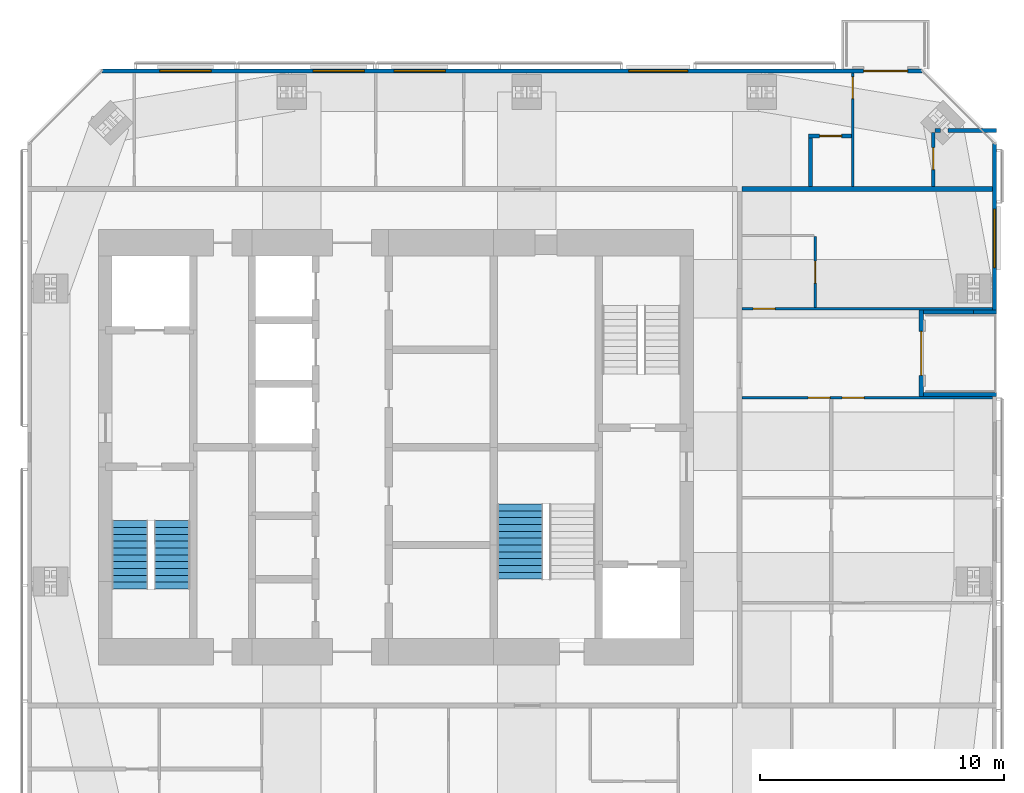
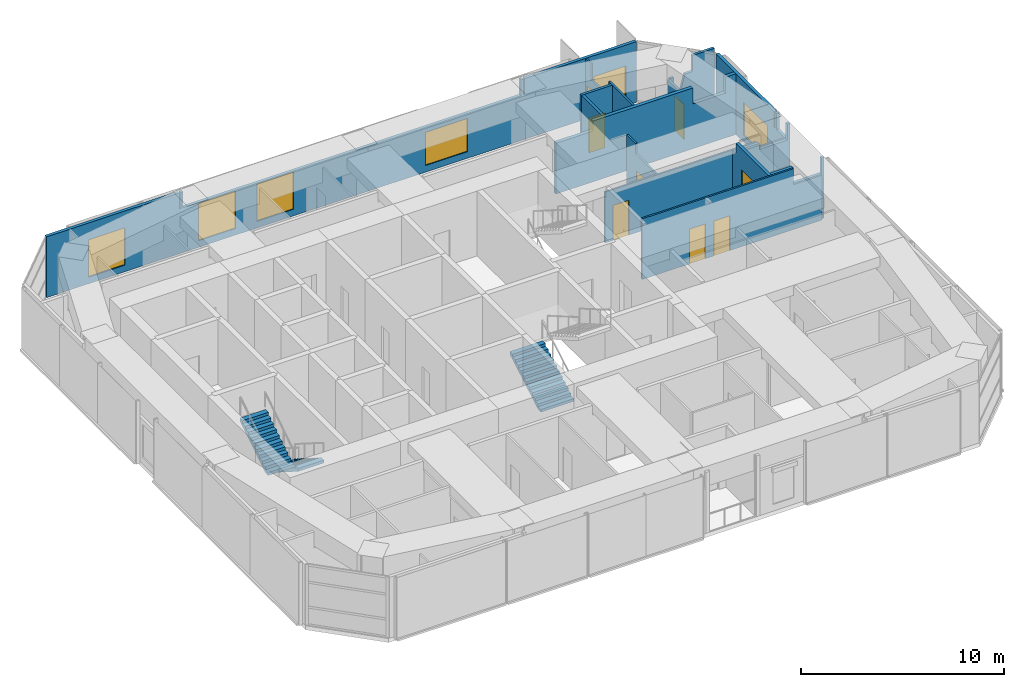
# One storey, part 18 of 20: 16 walls, 9 doors, 5 windows, 3 stair flights, 14 openings, 2 elements without a shape of their own.
"""IFC4 building model written with IfcOpenShell, lengths in metres."""

from ifc_helpers import new_model, si_unit, direction, frame, frame_2d, origin, place, context, subcontext, project, spatial, polyline, rectangle, outline, extrude, material, constituent, constituent_set, type_object, element, fill, aggregate, save


model = new_model("IFC4")

# Units and contexts
model_context = context("Model", 3, precision=1e-05, world=origin(), true_north=direction((0.0, 1.0)))
body_context = subcontext(model_context, "Body", "Model", "MODEL_VIEW")
ifc_project = project(units=[si_unit("LENGTHUNIT", "METRE"), si_unit("AREAUNIT", "SQUARE_METRE"), si_unit("VOLUMEUNIT", "CUBIC_METRE"), si_unit("PLANEANGLEUNIT", "RADIAN"), si_unit("MASSUNIT", "GRAM", prefix="KILO")], contexts=[model_context])

# Site, building, storey
site_placement = place(None, origin())
site = spatial("IfcSite", under=ifc_project, at=site_placement, CompositionType="ELEMENT")
building_placement = place(site_placement, origin())
building = spatial("IfcBuilding", under=site, at=building_placement, Name="Jalousie Tower", CompositionType="ELEMENT")
storey_placement = place(building_placement, frame((0.0, 0.0, 259.949951171875)))
storey = spatial("IfcBuildingStorey", under=building, at=storey_placement, Name="L71", CompositionType="ELEMENT", Elevation=259.949951171875)

# Walls
ifc_material_1 = material(Name="Concrete block ASTM C90", Category="concrete")
ifc_constituent_1 = constituent(ifc_material_1, Name="Body")
ifc_material_2 = material(Name="Render")
ifc_constituent_2 = constituent(ifc_material_2, Name="Finish")
ifc_constituent_set_1 = constituent_set(constituents=[ifc_constituent_1, ifc_constituent_2])
wall_type_1 = type_object("IfcWallType", Name="BATHROOM WALL 150", PredefinedType="PLUMBINGWALL", material=ifc_constituent_set_1)
wall_1_placement = place(storey_placement, frame((53.97509765625, 31.47509765625, 0.0), z_axis=(0.0, 0.0, 1.0), x_axis=(1.0, 0.0, 0.0)))
element("IfcWall", 1, at=wall_1_placement, inside=storey, type_object=wall_type_1, Name="Bathroom Wall 150 L71-A", PredefinedType="PLUMBINGWALL", context=body_context, shape_type="SweptSolid", body=[
    extrude(rectangle(XDim=0.216796875, YDim=0.14990234375, at=frame_2d((0.1083984375, 0.0))), origin(), (0.0, 0.0, 1.0), 2.699951171875),
])
wall_2_placement = place(storey_placement, frame((54.476318359375, 31.47509765625, 0.0), z_axis=(0.0, 0.0, 1.0), x_axis=(1.0, 0.0, 0.0)))
element("IfcWall", 2, at=wall_2_placement, inside=storey, type_object=wall_type_1, Name="Bathroom Wall 150 L71-B", PredefinedType="PLUMBINGWALL", context=body_context, shape_type="SweptSolid", body=[
    extrude(outline(polyline([(0.775390625, 3.66015625), (0.775390625, 2.699951171875), (0.3427734375, 2.699951171875), (0.0, 1.35009765625), (0.3427734375, 0.0), (2.023681640625, 0.0), (2.023681640625, 3.66015625), (0.775390625, 3.66015625)])), frame((0.0, 0.074951171875, 0.0), z_axis=(0.0, -1.0, 0.0), x_axis=(1.0, 0.0, 0.0)), (0.0, 0.0, 1.0), 0.14990234375),
])

# Wall, opening, door
wall_3_placement = place(storey_placement, frame((53.89990234375, 31.39990234375, 0.0), z_axis=(0.0, 0.0, 1.0), x_axis=(0.0, -1.0, 0.0)))
wall_3 = element("IfcWall", 3, at=wall_3_placement, inside=storey, type_object=wall_type_1, Name="Bathroom Wall 150 L71", PredefinedType="PLUMBINGWALL", context=body_context, shape_type="SweptSolid", body=[
    extrude(outline(polyline([(0.0, 0.0), (2.224853515625, 0.0), (2.22509765625, 3.66015625), (2.22509765625, 2.699951171875), (0.43798828125, 2.699951171875), (0.0, 2.699951171875), (0.0, 3.66015625), (0.0, 0.0)])), frame((0.0, 0.074951171875, 0.0), z_axis=(0.0, -1.0, 0.0), x_axis=(1.0, 0.0, 0.0)), (0.0, 0.0, 1.0), 0.14990234375),
])
opening_1_placement = place(wall_3_placement, frame((0.625, 0.0, 0.0)))
opening_1 = element("IfcOpeningElement", 4, at=opening_1_placement, cuts=wall_3, Name="Opening D3", PredefinedType="OPENING", context=body_context, shape_type="SweptSolid", body=[
    extrude(rectangle(XDim=0.89990234375, YDim=2.10009765625, at=frame_2d((0.449951171875, 1.050048828125))), frame((0.0, 0.0849609375, 0.0), z_axis=(0.0, -1.0, 0.0), x_axis=(1.0, 0.0, 0.0)), (0.0, 0.0, 1.0), 0.169921875),
])
ifc_material_3 = material(Name="Timber door", Category="wood")
door_type_1 = type_object("IfcDoorType", Name="BATHROOM DOOR 900", OperationType="SINGLE_SWING_LEFT", PredefinedType="DOOR", material=ifc_material_3)
door_1_placement = place(opening_1_placement, origin())
door_1 = element("IfcDoor", 5, at=door_1_placement, inside=storey, type_object=door_type_1, Name="Apartment 7102 bathroom door", OperationType="SINGLE_SWING_LEFT", OverallHeight=2.10009765625, OverallWidth=0.89990234375, PredefinedType="DOOR", context=body_context, shape_type="SweptSolid", body=[
    extrude(rectangle(XDim=0.89990234375, YDim=2.10009765625, at=frame_2d((0.449951171875, 1.050048828125))), frame((0.0, 0.02490234375, 0.0), z_axis=(0.0, -1.0, 0.0), x_axis=(1.0, 0.0, 0.0)), (0.0, 0.0, 1.0), 0.050048828125),
])
fill(opening_1, door_1)

wall_4_placement = place(storey_placement, frame((50.552490234375, 31.25, 0.0), z_axis=(0.0, 0.0, 1.0), x_axis=(-1.0, 0.0, 0.0)))
wall_4 = element("IfcWall", 6, at=wall_4_placement, inside=storey, type_object=wall_type_1, Name="Bathroom Wall 150 L71", PredefinedType="PLUMBINGWALL", context=body_context, shape_type="SweptSolid", body=[
    extrude(rectangle(XDim=1.75, YDim=0.14990234375, at=frame_2d((0.875, 0.0))), origin(), (0.0, 0.0, 1.0), 3.66015625),
])
opening_2_placement = place(wall_4_placement, frame((0.39990234375, 0.0, 0.0)))
opening_2 = element("IfcOpeningElement", 7, at=opening_2_placement, cuts=wall_4, Name="Opening D7", PredefinedType="OPENING", context=body_context, shape_type="SweptSolid", body=[
    extrude(rectangle(XDim=0.89990234375, YDim=2.10009765625, at=frame_2d((0.449951171875, 1.050048828125))), frame((0.0, 0.0849609375, 0.0), z_axis=(0.0, -1.0, 0.0), x_axis=(1.0, 0.0, 0.0)), (0.0, 0.0, 1.0), 0.169921875),
])
ifc_material_4 = material(Name="Timber door", Category="wood")
door_type_2 = type_object("IfcDoorType", Name="INTERNAL DOOR 900", OperationType="SINGLE_SWING_LEFT", PredefinedType="DOOR", material=ifc_material_4)
door_2_placement = place(opening_2_placement, origin())
door_2 = element("IfcDoor", 8, at=door_2_placement, inside=storey, type_object=door_type_2, Name="Apartment 7102 guest WC door", OperationType="SINGLE_SWING_RIGHT", OverallHeight=2.10009765625, OverallWidth=0.89990234375, PredefinedType="DOOR", context=body_context, shape_type="SweptSolid", body=[
    extrude(rectangle(XDim=0.89990234375, YDim=2.10009765625, at=frame_2d((0.449951171875, 1.050048828125))), frame((0.0, 0.02490234375, 0.0), z_axis=(0.0, -1.0, 0.0), x_axis=(1.0, 0.0, 0.0)), (0.0, 0.0, 1.0), 0.050048828125),
])
fill(opening_2, door_2)

# Wall
wall_5_placement = place(storey_placement, frame((48.87744140625, 29.175048828125, 0.0), z_axis=(0.0, 0.0, 1.0), x_axis=(0.0, 1.0, 0.0)))
element("IfcWall", 9, at=wall_5_placement, inside=storey, type_object=wall_type_1, Name="Bathroom Wall 150 L71", PredefinedType="PLUMBINGWALL", context=body_context, shape_type="SweptSolid", body=[
    extrude(rectangle(XDim=2.0, YDim=0.14990234375, at=frame_2d((1.0, 0.0))), origin(), (0.0, 0.0, 1.0), 3.66015625),
])

# Wall, opening, window
ifc_material_5 = material(Name="Concrete f'c 40 MPa", Category="concrete")
ifc_constituent_3 = constituent(ifc_material_5, Name="Body")
ifc_material_6 = material(Name="Render, pastel sky blue")
ifc_constituent_4 = constituent(ifc_material_6, Name="Finish")
ifc_constituent_set_2 = constituent_set(constituents=[ifc_constituent_3, ifc_constituent_4])
wall_type_2 = type_object("IfcWallType", Name="EXTERNAL WALL 175 SKY BLUE RENDER", PredefinedType="SOLIDWALL", material=ifc_constituent_set_2)
wall_6_placement = place(storey_placement, frame((56.41259765625, 24.125, 0.0), z_axis=(0.0, 0.0, 1.0), x_axis=(0.0, 1.0, 0.0)))
wall_6 = element("IfcWall", 10, at=wall_6_placement, inside=storey, type_object=wall_type_2, Name="External Wall 175 Sky Blue Render L71", PredefinedType="SOLIDWALL", context=body_context, shape_type="SweptSolid", body=[
    extrude(outline(polyline([(0.0, 0.0), (6.82373046875, 0.0), (6.82373046875, 3.66015625), (1.08349609375, 3.66015625), (1.08349609375, 2.699951171875), (1.018310546875, 2.699951171875), (1.018310546875, 3.66015625), (0.875, 3.66015625), (0.875, 2.699951171875), (0.0, 2.699951171875), (0.0, 0.0)])), frame((0.0, 0.08740234375, 0.0), z_axis=(0.0, -1.0, 0.0), x_axis=(1.0, 0.0, 0.0)), (0.0, 0.0, 1.0), 0.175048828125),
])
opening_3_placement = place(wall_6_placement, frame((1.728759765625, 0.0, 0.39990234375)))
opening_3 = element("IfcOpeningElement", 11, at=opening_3_placement, cuts=wall_6, Name="Opening W-LIV", PredefinedType="OPENING", context=body_context, shape_type="SweptSolid", body=[
    extrude(rectangle(XDim=2.39990234375, YDim=2.0, at=frame_2d((1.199951171875, 1.0))), frame((0.0, 0.097412109375, 0.0), z_axis=(0.0, -1.0, 0.0), x_axis=(1.0, 0.0, 0.0)), (0.0, 0.0, 1.0), 0.195068359375),
])
ifc_material_7 = material(Name="Aluminium frame, impact-rated glazing", Category="aluminium")
window_type_1 = type_object("IfcWindowType", Name="WINDOW LIV 2400x2000", PartitioningType="DOUBLE_PANEL_VERTICAL", PredefinedType="WINDOW", material=ifc_material_7)
window_1_placement = place(opening_3_placement, origin())
window_1 = element("IfcWindow", 12, at=window_1_placement, inside=storey, type_object=window_type_1, Name="Apartment 7103 living and dining room window", OverallHeight=2.0, OverallWidth=2.39990234375, PartitioningType="SINGLE_PANEL", PredefinedType="WINDOW", context=body_context, shape_type="SweptSolid", body=[
    extrude(rectangle(XDim=2.39990234375, YDim=2.0, at=frame_2d((1.199951171875, 1.0))), frame((0.0, 0.030029296875, 0.0), z_axis=(0.0, -1.0, 0.0), x_axis=(1.0, 0.0, 0.0)), (0.0, 0.0, 1.0), 0.06005859375),
])
fill(opening_3, window_1)

# Wall, opening, door
wall_7_placement = place(storey_placement, frame((53.41259765625, 20.574951171875, 0.0), z_axis=(0.0, 0.0, 1.0), x_axis=(0.0, 1.0, 0.0)))
wall_7 = element("IfcWall", 13, at=wall_7_placement, inside=storey, type_object=wall_type_2, Name="External Wall 175 Sky Blue Render L71", PredefinedType="SOLIDWALL", context=body_context, shape_type="SweptSolid", body=[
    extrude(outline(polyline([(0.0, 0.0), (3.550048828125, 0.0), (3.550048828125, 3.06005859375), (3.22509765625, 3.06005859375), (3.22509765625, 3.66015625), (0.0, 3.66015625), (0.0, 0.0)])), frame((0.0, 0.08740234375, 0.0), z_axis=(0.0, -1.0, 0.0), x_axis=(1.0, 0.0, 0.0)), (0.0, 0.0, 1.0), 0.175048828125),
])
opening_4_placement = place(wall_7_placement, frame((0.875, 0.0, 0.0)))
opening_4 = element("IfcOpeningElement", 14, at=opening_4_placement, cuts=wall_7, Name="Opening D-BAL", PredefinedType="OPENING", context=body_context, shape_type="SweptSolid", body=[
    extrude(rectangle(XDim=1.800048828125, YDim=2.39990234375, at=frame_2d((0.89990234375, 1.199951171875))), frame((0.0, 0.097412109375, 0.0), z_axis=(0.0, -1.0, 0.0), x_axis=(1.0, 0.0, 0.0)), (0.0, 0.0, 1.0), 0.195068359375),
])
ifc_material_8 = material(Name="Aluminium frame, impact-rated glazing", Category="aluminium")
door_type_3 = type_object("IfcDoorType", Name="BALCONY DOOR 1800x2400", OperationType="SLIDING_TO_LEFT", PredefinedType="DOOR", material=ifc_material_8)
door_3_placement = place(opening_4_placement, origin())
door_3 = element("IfcDoor", 15, at=door_3_placement, inside=storey, type_object=door_type_3, Name="Apartment 7103 study loggia door", OperationType="SLIDING_TO_LEFT", OverallHeight=2.39990234375, OverallWidth=1.800048828125, PredefinedType="DOOR", context=body_context, shape_type="SweptSolid", body=[
    extrude(rectangle(XDim=1.800048828125, YDim=2.39990234375, at=frame_2d((0.89990234375, 1.199951171875))), frame((0.0, 0.02490234375, 0.0), z_axis=(0.0, -1.0, 0.0), x_axis=(1.0, 0.0, 0.0)), (0.0, 0.0, 1.0), 0.050048828125),
])
fill(opening_4, door_3)

# Walls
wall_8_placement = place(storey_placement, frame((56.5, 20.66259765625, 0.0), z_axis=(0.0, 0.0, 1.0), x_axis=(-1.0, 0.0, 0.0)))
element("IfcWall", 16, at=wall_8_placement, inside=storey, type_object=wall_type_2, Name="External Wall 175 Sky Blue Render L71", PredefinedType="SOLIDWALL", context=body_context, shape_type="SweptSolid", body=[
    extrude(outline(polyline([(0.0, 0.0), (3.0, 0.0), (3.0, 3.66015625), (1.75, 3.66015625), (1.75, 2.699951171875), (0.14990234375, 2.699951171875), (0.14990234375, 3.66015625), (0.0, 3.66015625), (0.0, 0.0)])), frame((0.0, 0.08740234375, 0.0), z_axis=(0.0, -1.0, 0.0), x_axis=(1.0, 0.0, 0.0)), (0.0, 0.0, 1.0), 0.175048828125),
])
wall_9_placement = place(storey_placement, frame((56.5, 24.03759765625, 0.0), z_axis=(0.0, 0.0, 1.0), x_axis=(-1.0, 0.0, 0.0)))
element("IfcWall", 17, at=wall_9_placement, inside=storey, type_object=wall_type_2, Name="External Wall 175 Sky Blue Render L71-A", PredefinedType="SOLIDWALL", context=body_context, shape_type="SweptSolid", body=[
    extrude(outline(polyline([(0.0, 0.0), (0.949951171875, 0.0), (0.949951171875, 2.699951171875), (0.14990234375, 2.699951171875), (0.14990234375, 3.66015625), (0.0, 3.66015625), (0.0, 0.0)])), frame((0.0, 0.08740234375, 0.0), z_axis=(0.0, -1.0, 0.0), x_axis=(1.0, 0.0, 0.0)), (0.0, 0.0, 1.0), 0.175048828125),
])
wall_10_placement = place(storey_placement, frame((55.550048828125, 24.03759765625, 0.0), z_axis=(0.0, 0.0, 1.0), x_axis=(-1.0, 0.0, 0.0)))
element("IfcWall", 18, at=wall_10_placement, inside=storey, type_object=wall_type_2, Name="External Wall 175 Sky Blue Render L71-B", PredefinedType="SOLIDWALL", context=body_context, shape_type="SweptSolid", body=[
    extrude(outline(polyline([(0.0, 0.0), (2.050048828125, 0.0), (2.050048828125, 3.06005859375), (0.800048828125, 3.06005859375), (0.800048828125, 2.699951171875), (0.0, 2.699951171875), (0.0, 0.0)])), frame((0.0, 0.08740234375, 0.0), z_axis=(0.0, -1.0, 0.0), x_axis=(1.0, 0.0, 0.0)), (0.0, 0.0, 1.0), 0.175048828125),
])

# Wall, openings, door, windows
wall_11_placement = place(storey_placement, frame((53.44873046875, 33.91259765625, 0.0), z_axis=(0.0, 0.0, 1.0), x_axis=(-1.0, 0.0, 0.0)))
wall_11 = element("IfcWall", 19, at=wall_11_placement, inside=storey, type_object=wall_type_2, Name="External Wall 175 Sky Blue Render L71", PredefinedType="SOLIDWALL", context=body_context, shape_type="SweptSolid", body=[
    extrude(outline(polyline([(0.0, 0.0), (33.597412109375, 0.0), (33.597412109375, 3.66015625), (26.03857421875, 3.66015625), (26.03857421875, 2.699951171875), (25.955078125, 2.699951171875), (25.955078125, 3.66015625), (25.82373046875, 3.66015625), (25.82373046875, 2.699951171875), (6.57373046875, 2.699951171875), (6.57373046875, 3.66015625), (6.4423828125, 3.66015625), (6.4423828125, 2.699951171875), (6.35888671875, 2.699951171875), (6.35888671875, 3.66015625), (0.0, 3.66015625), (0.0, 0.0)])), frame((0.0, 0.08740234375, 0.0), z_axis=(0.0, -1.0, 0.0), x_axis=(1.0, 0.0, 0.0)), (0.0, 0.0, 1.0), 0.175048828125),
])
opening_5_placement = place(wall_11_placement, frame((0.60009765625, 0.0, 0.0)))
opening_5 = element("IfcOpeningElement", 20, at=opening_5_placement, cuts=wall_11, Name="Opening D-BAL", PredefinedType="OPENING", context=body_context, shape_type="SweptSolid", body=[
    extrude(rectangle(XDim=1.800048828125, YDim=2.39990234375, at=frame_2d((0.89990234375, 1.199951171875))), frame((0.0, 0.097412109375, 0.0), z_axis=(0.0, -1.0, 0.0), x_axis=(1.0, 0.0, 0.0)), (0.0, 0.0, 1.0), 0.195068359375),
])
opening_6_placement = place(wall_11_placement, frame((9.610107421875, 0.0, 0.39990234375)))
opening_6 = element("IfcOpeningElement", 21, at=opening_6_placement, cuts=wall_11, Name="Opening W-LIV", PredefinedType="OPENING", context=body_context, shape_type="SweptSolid", body=[
    extrude(rectangle(XDim=2.39990234375, YDim=2.0, at=frame_2d((1.199951171875, 1.0))), frame((0.0, 0.097412109375, 0.0), z_axis=(0.0, -1.0, 0.0), x_axis=(1.0, 0.0, 0.0)), (0.0, 0.0, 1.0), 0.195068359375),
])
opening_7_placement = place(wall_11_placement, frame((19.523681640625, 0.0, 0.39990234375)))
opening_7 = element("IfcOpeningElement", 22, at=opening_7_placement, cuts=wall_11, Name="Opening W-BEDPH225", PredefinedType="OPENING", context=body_context, shape_type="SweptSolid", body=[
    extrude(rectangle(XDim=2.10009765625, YDim=2.25, at=frame_2d((1.050048828125, 1.125))), frame((0.0, 0.097412109375, 0.0), z_axis=(0.0, -1.0, 0.0), x_axis=(1.0, 0.0, 0.0)), (0.0, 0.0, 1.0), 0.195068359375),
])
opening_8_placement = place(wall_11_placement, frame((22.84375, 0.0, 0.39990234375)))
opening_8 = element("IfcOpeningElement", 23, at=opening_8_placement, cuts=wall_11, Name="Opening W-BEDPH225", PredefinedType="OPENING", context=body_context, shape_type="SweptSolid", body=[
    extrude(rectangle(XDim=2.10009765625, YDim=2.25, at=frame_2d((1.050048828125, 1.125))), frame((0.0, 0.097412109375, 0.0), z_axis=(0.0, -1.0, 0.0), x_axis=(1.0, 0.0, 0.0)), (0.0, 0.0, 1.0), 0.195068359375),
])
opening_9_placement = place(wall_11_placement, frame((29.123046875, 0.0, 0.39990234375)))
opening_9 = element("IfcOpeningElement", 24, at=opening_9_placement, cuts=wall_11, Name="Opening W-BEDPH225", PredefinedType="OPENING", context=body_context, shape_type="SweptSolid", body=[
    extrude(rectangle(XDim=2.10009765625, YDim=2.25, at=frame_2d((1.050048828125, 1.125))), frame((0.0, 0.097412109375, 0.0), z_axis=(0.0, -1.0, 0.0), x_axis=(1.0, 0.0, 0.0)), (0.0, 0.0, 1.0), 0.195068359375),
])
door_4_placement = place(opening_5_placement, origin())
door_4 = element("IfcDoor", 25, at=door_4_placement, inside=storey, type_object=door_type_3, Name="Apartment 7102 bedroom 5 balcony door", OperationType="SLIDING_TO_LEFT", OverallHeight=2.39990234375, OverallWidth=1.800048828125, PredefinedType="DOOR", context=body_context, shape_type="SweptSolid", body=[
    extrude(rectangle(XDim=1.800048828125, YDim=2.39990234375, at=frame_2d((0.89990234375, 1.199951171875))), frame((0.0, 0.02490234375, 0.0), z_axis=(0.0, -1.0, 0.0), x_axis=(1.0, 0.0, 0.0)), (0.0, 0.0, 1.0), 0.050048828125),
])
fill(opening_5, door_4)
ifc_material_9 = material(Name="Aluminium frame, impact-rated glazing", Category="aluminium")
window_type_2 = type_object("IfcWindowType", Name="WINDOW BEDPH 2100x2250", PartitioningType="DOUBLE_PANEL_VERTICAL", PredefinedType="WINDOW", material=ifc_material_9)
window_2_placement = place(opening_7_placement, origin())
window_2 = element("IfcWindow", 26, at=window_2_placement, inside=storey, type_object=window_type_2, Name="Apartment 7102 bedroom 4 window", OverallHeight=2.25, OverallWidth=2.10009765625, PartitioningType="SINGLE_PANEL", PredefinedType="WINDOW", context=body_context, shape_type="SweptSolid", body=[
    extrude(rectangle(XDim=2.10009765625, YDim=2.25, at=frame_2d((1.050048828125, 1.125))), frame((0.0, 0.030029296875, 0.0), z_axis=(0.0, -1.0, 0.0), x_axis=(1.0, 0.0, 0.0)), (0.0, 0.0, 1.0), 0.06005859375),
])
fill(opening_7, window_2)
window_3_placement = place(opening_8_placement, origin())
window_3 = element("IfcWindow", 27, at=window_3_placement, inside=storey, type_object=window_type_2, Name="Apartment 7102 bedroom 3 window", OverallHeight=2.25, OverallWidth=2.10009765625, PartitioningType="SINGLE_PANEL", PredefinedType="WINDOW", context=body_context, shape_type="SweptSolid", body=[
    extrude(rectangle(XDim=2.10009765625, YDim=2.25, at=frame_2d((1.050048828125, 1.125))), frame((0.0, 0.030029296875, 0.0), z_axis=(0.0, -1.0, 0.0), x_axis=(1.0, 0.0, 0.0)), (0.0, 0.0, 1.0), 0.06005859375),
])
fill(opening_8, window_3)
window_4_placement = place(opening_9_placement, origin())
window_4 = element("IfcWindow", 28, at=window_4_placement, inside=storey, type_object=window_type_2, Name="Apartment 7102 bedroom 2 window", OverallHeight=2.25, OverallWidth=2.10009765625, PartitioningType="SINGLE_PANEL", PredefinedType="WINDOW", context=body_context, shape_type="SweptSolid", body=[
    extrude(rectangle(XDim=2.10009765625, YDim=2.25, at=frame_2d((1.050048828125, 1.125))), frame((0.0, 0.030029296875, 0.0), z_axis=(0.0, -1.0, 0.0), x_axis=(1.0, 0.0, 0.0)), (0.0, 0.0, 1.0), 0.06005859375),
])
fill(opening_9, window_4)
window_5_placement = place(opening_6_placement, origin())
window_5 = element("IfcWindow", 29, at=window_5_placement, inside=storey, type_object=window_type_1, Name="Apartment 7102 living, dining and kitchen window", OverallHeight=2.0, OverallWidth=2.39990234375, PartitioningType="SINGLE_PANEL", PredefinedType="WINDOW", context=body_context, shape_type="SweptSolid", body=[
    extrude(rectangle(XDim=2.39990234375, YDim=2.0, at=frame_2d((1.199951171875, 1.0))), frame((0.0, 0.030029296875, 0.0), z_axis=(0.0, -1.0, 0.0), x_axis=(1.0, 0.0, 0.0)), (0.0, 0.0, 1.0), 0.06005859375),
])
fill(opening_6, window_5)

# Wall, opening, door
ifc_material_10 = material(Name="Gypsum board", Category="gypsum")
ifc_constituent_5 = constituent(ifc_material_10, Name="Body")
ifc_material_11 = material(Name="Light-gauge steel studs ASTM A653 SS Grade 33", Category="steel")
ifc_constituent_6 = constituent(ifc_material_11, Name="Framing")
ifc_constituent_set_3 = constituent_set(constituents=[ifc_constituent_5, ifc_constituent_6])
wall_type_3 = type_object("IfcWallType", Name="PARTITION 100", PredefinedType="PARTITIONING", material=ifc_constituent_set_3)
wall_12_placement = place(storey_placement, frame((50.6025390625, 33.824951171875, 0.0), z_axis=(0.0, 0.0, 1.0), x_axis=(0.0, -1.0, 0.0)))
wall_12 = element("IfcWall", 30, at=wall_12_placement, inside=storey, type_object=wall_type_3, Name="Partition 100 L71", PredefinedType="PARTITIONING", context=body_context, shape_type="SweptSolid", body=[
    extrude(outline(polyline([(0.0, 0.0), (4.64990234375, 0.0), (4.64990234375, 3.66015625), (2.279052734375, 3.66015625), (2.279052734375, 2.699951171875), (0.534423828125, 2.699951171875), (0.534423828125, 3.66015625), (0.0, 3.66015625), (0.0, 0.0)])), frame((0.0, 0.050048828125, 0.0), z_axis=(0.0, -1.0, 0.0), x_axis=(1.0, 0.0, 0.0)), (0.0, 0.0, 1.0), 0.10009765625),
])
opening_10_placement = place(wall_12_placement, frame((0.14990234375, 0.0, 0.0)))
opening_10 = element("IfcOpeningElement", 31, at=opening_10_placement, cuts=wall_12, Name="Opening D2", PredefinedType="OPENING", context=body_context, shape_type="SweptSolid", body=[
    extrude(rectangle(XDim=0.89990234375, YDim=2.10009765625, at=frame_2d((0.449951171875, 1.050048828125))), frame((0.0, 0.06005859375, 0.0), z_axis=(0.0, -1.0, 0.0), x_axis=(1.0, 0.0, 0.0)), (0.0, 0.0, 1.0), 0.1201171875),
])
ifc_material_12 = material(Name="Timber door", Category="wood")
door_type_4 = type_object("IfcDoorType", Name="BEDROOM DOOR 900", OperationType="SINGLE_SWING_LEFT", PredefinedType="DOOR", material=ifc_material_12)
door_5_placement = place(opening_10_placement, origin())
door_5 = element("IfcDoor", 32, at=door_5_placement, inside=storey, type_object=door_type_4, Name="Apartment 7102 bedroom 5 door", OperationType="SINGLE_SWING_LEFT", OverallHeight=2.10009765625, OverallWidth=0.89990234375, PredefinedType="DOOR", context=body_context, shape_type="SweptSolid", body=[
    extrude(rectangle(XDim=0.89990234375, YDim=2.10009765625, at=frame_2d((0.449951171875, 1.050048828125))), frame((0.0, 0.02490234375, 0.0), z_axis=(0.0, -1.0, 0.0), x_axis=(1.0, 0.0, 0.0)), (0.0, 0.0, 1.0), 0.050048828125),
])
fill(opening_10, door_5)

# Wall, openings, doors
wall_13_placement = place(storey_placement, frame((56.324951171875, 20.52490234375, 0.0), z_axis=(0.0, 0.0, 1.0), x_axis=(-1.0, 0.0, 0.0)))
wall_13 = element("IfcWall", 33, at=wall_13_placement, inside=storey, type_object=wall_type_3, Name="Partition 100 L71", PredefinedType="PARTITIONING", context=body_context, shape_type="SweptSolid", body=[
    extrude(outline(polyline([(0.0, 0.0), (10.25, 0.0), (10.25, 3.66015625), (1.635009765625, 3.66015625), (1.635009765625, 2.699951171875), (0.0, 2.699951171875), (0.0, 3.66015625), (0.0, 0.0)])), frame((0.0, 0.050048828125, 0.0), z_axis=(0.0, -1.0, 0.0), x_axis=(1.0, 0.0, 0.0)), (0.0, 0.0, 1.0), 0.10009765625),
])
opening_11_placement = place(wall_13_placement, frame((5.25, 0.0, 0.0)))
opening_11 = element("IfcOpeningElement", 34, at=opening_11_placement, cuts=wall_13, Name="Opening D2", PredefinedType="OPENING", context=body_context, shape_type="SweptSolid", body=[
    extrude(rectangle(XDim=0.89990234375, YDim=2.10009765625, at=frame_2d((0.449951171875, 1.050048828125))), frame((0.0, 0.06005859375, 0.0), z_axis=(0.0, -1.0, 0.0), x_axis=(1.0, 0.0, 0.0)), (0.0, 0.0, 1.0), 0.1201171875),
])
opening_12_placement = place(wall_13_placement, frame((6.64990234375, 0.0, 0.0)))
opening_12 = element("IfcOpeningElement", 35, at=opening_12_placement, cuts=wall_13, Name="Opening D7", PredefinedType="OPENING", context=body_context, shape_type="SweptSolid", body=[
    extrude(rectangle(XDim=0.89990234375, YDim=2.10009765625, at=frame_2d((0.449951171875, 1.050048828125))), frame((0.0, 0.06005859375, 0.0), z_axis=(0.0, -1.0, 0.0), x_axis=(1.0, 0.0, 0.0)), (0.0, 0.0, 1.0), 0.1201171875),
])
door_6_placement = place(opening_11_placement, origin())
door_6 = element("IfcDoor", 36, at=door_6_placement, inside=storey, type_object=door_type_4, Name="Apartment 7103 bedroom 3 door", OperationType="SINGLE_SWING_RIGHT", OverallHeight=2.10009765625, OverallWidth=0.89990234375, PredefinedType="DOOR", context=body_context, shape_type="SweptSolid", body=[
    extrude(rectangle(XDim=0.89990234375, YDim=2.10009765625, at=frame_2d((0.449951171875, 1.050048828125))), frame((0.0, 0.02490234375, 0.0), z_axis=(0.0, -1.0, 0.0), x_axis=(1.0, 0.0, 0.0)), (0.0, 0.0, 1.0), 0.050048828125),
])
fill(opening_11, door_6)
door_7_placement = place(opening_12_placement, origin())
door_7 = element("IfcDoor", 37, at=door_7_placement, inside=storey, type_object=door_type_2, Name="Apartment 7103 bathroom door", OperationType="SINGLE_SWING_LEFT", OverallHeight=2.10009765625, OverallWidth=0.89990234375, PredefinedType="DOOR", context=body_context, shape_type="SweptSolid", body=[
    extrude(rectangle(XDim=0.89990234375, YDim=2.10009765625, at=frame_2d((0.449951171875, 1.050048828125))), frame((0.0, 0.02490234375, 0.0), z_axis=(0.0, -1.0, 0.0), x_axis=(1.0, 0.0, 0.0)), (0.0, 0.0, 1.0), 0.050048828125),
])
fill(opening_12, door_7)

# Wall, opening, door
wall_14_placement = place(storey_placement, frame((56.324951171875, 24.175048828125, 0.0), z_axis=(0.0, 0.0, 1.0), x_axis=(-1.0, 0.0, 0.0)))
wall_14 = element("IfcWall", 38, at=wall_14_placement, inside=storey, type_object=wall_type_3, Name="Partition 100 L71", PredefinedType="PARTITIONING", context=body_context, shape_type="SweptSolid", body=[
    extrude(outline(polyline([(0.0, 0.0), (10.25, 0.0), (10.25, 3.66015625), (10.25, 3.06005859375), (1.635009765625, 3.06005859375), (1.635009765625, 2.699951171875), (0.0, 2.699951171875), (0.0, 3.66015625), (0.0, 0.0)])), frame((0.0, 0.050048828125, 0.0), z_axis=(0.0, -1.0, 0.0), x_axis=(1.0, 0.0, 0.0)), (0.0, 0.0, 1.0), 0.10009765625),
])
opening_13_placement = place(wall_14_placement, frame((8.89990234375, 0.0, 0.0)))
opening_13 = element("IfcOpeningElement", 39, at=opening_13_placement, cuts=wall_14, Name="Opening D2", PredefinedType="OPENING", context=body_context, shape_type="SweptSolid", body=[
    extrude(rectangle(XDim=0.89990234375, YDim=2.10009765625, at=frame_2d((0.449951171875, 1.050048828125))), frame((0.0, 0.06005859375, 0.0), z_axis=(0.0, -1.0, 0.0), x_axis=(1.0, 0.0, 0.0)), (0.0, 0.0, 1.0), 0.1201171875),
])
door_8_placement = place(opening_13_placement, origin())
door_8 = element("IfcDoor", 40, at=door_8_placement, inside=storey, type_object=door_type_4, Name="Apartment 7103 study door", OperationType="SINGLE_SWING_RIGHT", OverallHeight=2.10009765625, OverallWidth=0.89990234375, PredefinedType="DOOR", context=body_context, shape_type="SweptSolid", body=[
    extrude(rectangle(XDim=0.89990234375, YDim=2.10009765625, at=frame_2d((0.449951171875, 1.050048828125))), frame((0.0, 0.02490234375, 0.0), z_axis=(0.0, -1.0, 0.0), x_axis=(1.0, 0.0, 0.0)), (0.0, 0.0, 1.0), 0.050048828125),
])
fill(opening_13, door_8)

wall_15_placement = place(storey_placement, frame((49.074951171875, 24.22509765625, 0.0), z_axis=(0.0, 0.0, 1.0), x_axis=(0.0, 1.0, 0.0)))
wall_15 = element("IfcWall", 41, at=wall_15_placement, inside=storey, type_object=wall_type_3, Name="Partition 100 L71", PredefinedType="PARTITIONING", context=body_context, shape_type="SweptSolid", body=[
    extrude(outline(polyline([(0.0, 0.0), (2.89990234375, 0.0), (2.89990234375, 3.66015625), (2.034912109375, 3.66015625), (2.034912109375, 3.06005859375), (0.0, 3.06005859375), (0.0, 3.66015625), (0.0, 0.0)])), frame((0.0, 0.050048828125, 0.0), z_axis=(0.0, -1.0, 0.0), x_axis=(1.0, 0.0, 0.0)), (0.0, 0.0, 1.0), 0.10009765625),
])
opening_14_placement = place(wall_15_placement, frame((1.0, 0.0, 0.0)))
opening_14 = element("IfcOpeningElement", 42, at=opening_14_placement, cuts=wall_15, Name="Opening D7", PredefinedType="OPENING", context=body_context, shape_type="SweptSolid", body=[
    extrude(rectangle(XDim=0.89990234375, YDim=2.10009765625, at=frame_2d((0.449951171875, 1.050048828125))), frame((0.0, 0.06005859375, 0.0), z_axis=(0.0, -1.0, 0.0), x_axis=(1.0, 0.0, 0.0)), (0.0, 0.0, 1.0), 0.1201171875),
])
door_9_placement = place(opening_14_placement, frame((0.89990234375, 0.0, 0.0), z_axis=(0.0, 0.0, 1.0), x_axis=(-1.0, 0.0, 0.0)))
door_9 = element("IfcDoor", 43, at=door_9_placement, inside=storey, type_object=door_type_2, Name="Apartment 7103 kitchen door", OperationType="SINGLE_SWING_RIGHT", OverallHeight=2.10009765625, OverallWidth=0.89990234375, PredefinedType="DOOR", context=body_context, shape_type="SweptSolid", body=[
    extrude(rectangle(XDim=0.89990234375, YDim=2.10009765625, at=frame_2d((0.449951171875, 1.050048828125))), frame((0.0, 0.02490234375, 0.0), z_axis=(0.0, -1.0, 0.0), x_axis=(1.0, 0.0, 0.0)), (0.0, 0.0, 1.0), 0.050048828125),
])
fill(opening_14, door_9)

# Wall
ifc_material_13 = material(Name="Concrete block ASTM C90", Category="concrete")
ifc_constituent_7 = constituent(ifc_material_13, Name="Body")
ifc_material_14 = material(Name="Render")
ifc_constituent_8 = constituent(ifc_material_14, Name="Finish")
ifc_constituent_set_4 = constituent_set(constituents=[ifc_constituent_7, ifc_constituent_8])
wall_type_4 = type_object("IfcWallType", Name="PARTY WALL 200", PredefinedType="PARTITIONING", material=ifc_constituent_set_4)
wall_16_placement = place(storey_placement, frame((46.074951171875, 29.074951171875, 0.0), z_axis=(0.0, 0.0, 1.0), x_axis=(1.0, 0.0, 0.0)))
element("IfcWall", 44, at=wall_16_placement, inside=storey, type_object=wall_type_4, Name="Party Wall 200 L71", PredefinedType="PARTITIONING", context=body_context, shape_type="SweptSolid", body=[
    extrude(outline(polyline([(0.0, 0.0), (10.425048828125, 0.0), (10.425048828125, 3.66015625), (9.646240234375, 3.66015625), (9.646240234375, 2.699951171875), (7.79541015625, 2.699951171875), (7.79541015625, 3.66015625), (2.110107421875, 3.66015625), (2.110107421875, 3.06005859375), (0.0, 3.06005859375), (0.0, 3.66015625), (0.0, 0.0)])), frame((0.0, 0.10009765625, 0.0), z_axis=(0.0, -1.0, 0.0), x_axis=(1.0, 0.0, 0.0)), (0.0, 0.0, 1.0), 0.199951171875),
])

# Stair, stair flights
ifc_material_15 = material(Name="Concrete f'c 40 MPa", Category="concrete")
stair_type = type_object("IfcStairType", Name="EXIT STAIR", PredefinedType="HALF_TURN_STAIR", material=ifc_material_15)
stair_1_placement = place(storey_placement, origin())
stair_1 = element("IfcStair", 45, at=stair_1_placement, inside=storey, type_object=stair_type, Name="Exit stair A L71", PredefinedType="HALF_TURN_STAIR")
ifc_material_16 = material(Name="Concrete f'c 40 MPa", Category="concrete")
stair_flight_type = type_object("IfcStairFlightType", Name="STAIR FLIGHT", PredefinedType="STRAIGHT", material=ifc_material_16)
stair_flight_1_placement = place(storey_placement, frame((22.71875, 15.49755859375, 0.0), z_axis=(0.0, 0.0, 1.0), x_axis=(0.0, -1.0, 0.0)))
stair_flight_1 = element("IfcStairFlight", 46, at=stair_flight_1_placement, type_object=stair_flight_type, Name="ST-A flight 1", NumberOfRisers=11, NumberOfTreads=10, PredefinedType="STRAIGHT", RiserHeight=0.177272727, TreadLength=0.28, context=body_context, shape_type="SweptSolid", body=[
    extrude(outline(polyline([(0.0, 0.0), (0.0, 0.17724609375), (0.280029296875, 0.17724609375), (0.280029296875, 0.3544921875), (0.56005859375, 0.3544921875), (0.56005859375, 0.53173828125), (0.840087890625, 0.53173828125), (0.840087890625, 0.708984375), (1.1201171875, 0.708984375), (1.1201171875, 0.886474609375), (1.39990234375, 0.886474609375), (1.39990234375, 1.063720703125), (1.679931640625, 1.063720703125), (1.679931640625, 1.240966796875), (1.9599609375, 1.240966796875), (1.9599609375, 1.418212890625), (2.239990234375, 1.418212890625), (2.239990234375, 1.595458984375), (2.52001953125, 1.595458984375), (2.52001953125, 1.772705078125), (2.800048828125, 1.772705078125), (2.800048828125, 1.949951171875), (2.800048828125, 1.59521484375), (0.2802734375, 0.0), (0.0, 0.0)])), frame((0.0, 0.731201171875, 0.0), z_axis=(0.0, -1.0, 0.0), x_axis=(1.0, 0.0, 0.0)), (0.0, 0.0, 1.0), 1.46240234375),
])
stair_flight_2_placement = place(storey_placement, frame((21.00634765625, 12.697509765625, 1.949951171875), z_axis=(0.0, 0.0, 1.0), x_axis=(0.0, 1.0, 0.0)))
stair_flight_2 = element("IfcStairFlight", 47, at=stair_flight_2_placement, type_object=stair_flight_type, Name="ST-A flight 2", NumberOfRisers=11, NumberOfTreads=10, PredefinedType="STRAIGHT", RiserHeight=0.177272727, TreadLength=0.28, context=body_context, shape_type="SweptSolid", body=[
    extrude(outline(polyline([(0.0, 0.0), (0.0, 0.17724609375), (0.280029296875, 0.17724609375), (0.280029296875, 0.3544921875), (0.56005859375, 0.3544921875), (0.56005859375, 0.53173828125), (0.840087890625, 0.53173828125), (0.840087890625, 0.708984375), (1.1201171875, 0.708984375), (1.1201171875, 0.886474609375), (1.39990234375, 0.886474609375), (1.39990234375, 1.063720703125), (1.679931640625, 1.063720703125), (1.679931640625, 1.240966796875), (1.9599609375, 1.240966796875), (1.9599609375, 1.418212890625), (2.239990234375, 1.418212890625), (2.239990234375, 1.595458984375), (2.52001953125, 1.595458984375), (2.52001953125, 1.772705078125), (2.800048828125, 1.772705078125), (2.800048828125, 1.949951171875), (2.800048828125, 1.59521484375), (0.2802734375, 0.0), (0.0, 0.0)])), frame((0.0, 0.731201171875, 0.0), z_axis=(0.0, -1.0, 0.0), x_axis=(1.0, 0.0, 0.0)), (0.0, 0.0, 1.0), 1.46240234375),
])
aggregate(stair_1, [stair_flight_1, stair_flight_2])

# Stair, stair flight
stair_2_placement = place(storey_placement, origin())
stair_2 = element("IfcStair", 48, at=stair_2_placement, inside=storey, type_object=stair_type, Name="Exit stair C L71", PredefinedType="HALF_TURN_STAIR")
stair_flight_3_placement = place(storey_placement, frame((36.987548828125, 13.097412109375, 0.0), z_axis=(0.0, 0.0, 1.0), x_axis=(0.0, 1.0, 0.0)))
stair_flight_3 = element("IfcStairFlight", 49, at=stair_flight_3_placement, type_object=stair_flight_type, Name="ST-C flight 1", NumberOfRisers=12, NumberOfTreads=11, PredefinedType="STRAIGHT", RiserHeight=0.1625, TreadLength=0.28, context=body_context, shape_type="SweptSolid", body=[
    extrude(outline(polyline([(0.0, 0.0), (0.0, 0.16259765625), (0.280029296875, 0.16259765625), (0.280029296875, 0.324951171875), (0.56005859375, 0.324951171875), (0.56005859375, 0.487548828125), (0.840087890625, 0.487548828125), (0.840087890625, 0.64990234375), (1.1201171875, 0.64990234375), (1.1201171875, 0.8125), (1.39990234375, 0.8125), (1.39990234375, 0.97509765625), (1.679931640625, 0.97509765625), (1.679931640625, 1.137451171875), (1.9599609375, 1.137451171875), (1.9599609375, 1.300048828125), (2.239990234375, 1.300048828125), (2.239990234375, 1.46240234375), (2.52001953125, 1.46240234375), (2.52001953125, 1.625), (2.800048828125, 1.625), (2.800048828125, 1.78759765625), (3.080078125, 1.78759765625), (3.080078125, 1.949951171875), (3.080078125, 1.6142578125), (0.298583984375, 0.0), (0.0, 0.0)])), frame((0.0, 0.9375, 0.0), z_axis=(0.0, -1.0, 0.0), x_axis=(1.0, 0.0, 0.0)), (0.0, 0.0, 1.0), 1.875),
])
aggregate(stair_2, [stair_flight_3])

save(model, "model.ifc")
